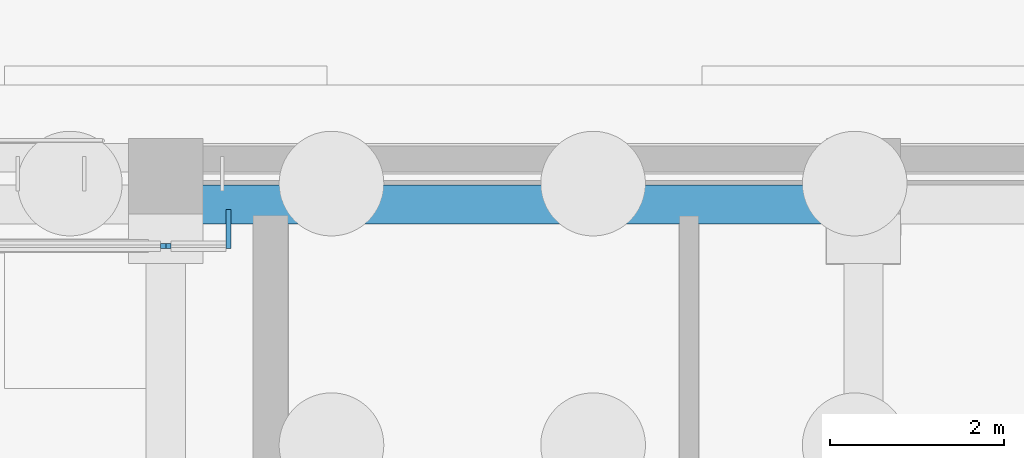
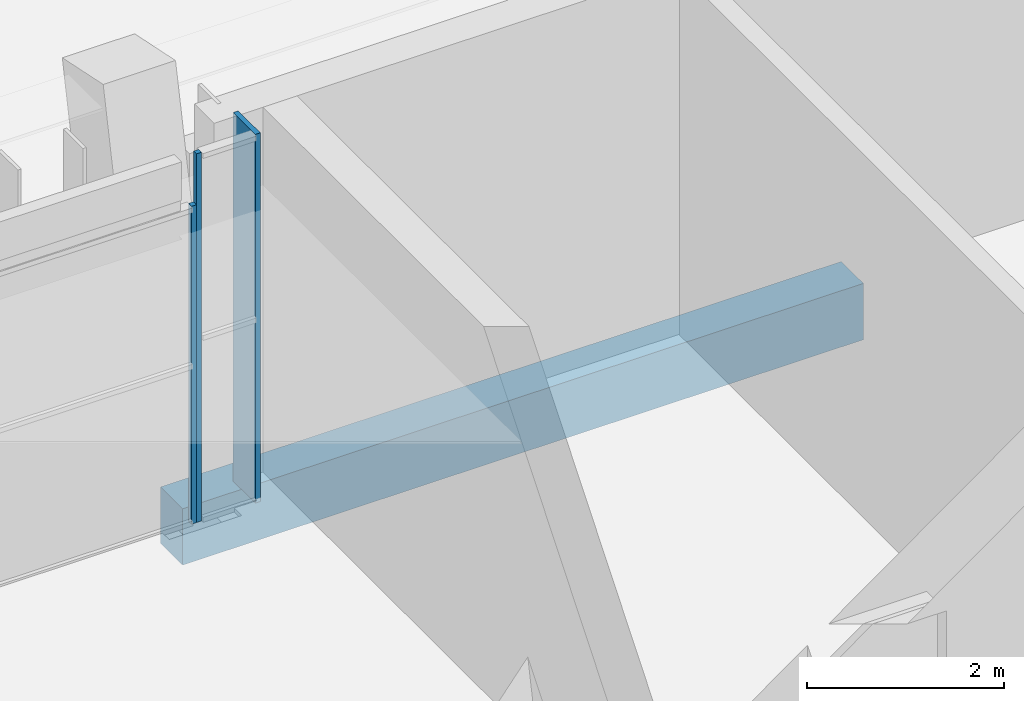
# One storey, part 67 of 144: 3 members, 1 beam, 2 elements without a shape of their own.
"""IFC4 building model written with IfcOpenShell, lengths in metres."""

from ifc_helpers import new_model, si_unit, direction, frame, origin, origin_2d, place, context, subcontext, project, spatial, rectangle, extrude, material, material_profile, profile_set, type_object, element, aggregate, save


model = new_model("IFC4")

# Units and contexts
model_context = context("Model", 3, precision=1e-05, world=origin(), true_north=direction((0.0, 1.0)))
body_context = subcontext(model_context, "Body", "Model", "MODEL_VIEW")
ifc_project = project(units=[si_unit("LENGTHUNIT", "METRE"), si_unit("AREAUNIT", "SQUARE_METRE"), si_unit("VOLUMEUNIT", "CUBIC_METRE"), si_unit("PLANEANGLEUNIT", "RADIAN"), si_unit("MASSUNIT", "GRAM", prefix="KILO")], contexts=[model_context])

# Site, building, storey
site_placement = place(None, origin())
site = spatial("IfcSite", under=ifc_project, at=site_placement, CompositionType="ELEMENT")
building_placement = place(site_placement, origin())
building = spatial("IfcBuilding", under=site, at=building_placement, Name="Lantern Court Media Centre", CompositionType="ELEMENT")
storey_placement = place(building_placement, origin())
storey = spatial("IfcBuildingStorey", under=building, at=storey_placement, Name="L00", CompositionType="ELEMENT", Elevation=0.0)

# Curtain wall, member
ifc_material_1 = material(Name="Curtain wall bay 3000")
curtain_wall_type = type_object("IfcCurtainWallType", Name="Curtain wall bay 3000", PredefinedType="NOTDEFINED", material=ifc_material_1)
curtain_wall_1_placement = place(storey_placement, origin())
curtain_wall_1 = element("IfcCurtainWall", 1, at=curtain_wall_1_placement, inside=storey, type_object=curtain_wall_type, Name="Curtain wall N outer L00", PredefinedType="NOTDEFINED")
ifc_material_2 = material(Name="Anodised aluminium", Category="aluminium")
ifc_material_profile_1 = material_profile(ifc_material_2, rectangle(XDim=0.449951171875, YDim=0.06005859375, at=origin_2d()), Name="AL 60x450")
ifc_profile_set_1 = profile_set([ifc_material_profile_1], Name="Anodised aluminium")
member_type_1 = type_object("IfcMemberType", Name="Curtain wall mullion 60x450", PredefinedType="MULLION", material=ifc_profile_set_1)
member_1_placement = place(storey_placement, frame((56.719970703125, 111.044921875, 0.0), z_axis=(0.0, 0.0, 1.0), x_axis=(0.0, 1.0, 0.0)))
member_1 = element("IfcMember", 2, at=member_1_placement, type_object=member_type_1, Name="CW1 mullion 2", PredefinedType="MULLION", context=body_context, shape_type="SweptSolid", body=[
    extrude(rectangle(XDim=0.449951171875, YDim=0.06005859375, at=origin_2d()), origin(), (0.0, 0.0, 1.0), 4.580078125),
])

curtain_wall_2_placement = place(storey_placement, origin())
curtain_wall_2 = element("IfcCurtainWall", 3, at=curtain_wall_2_placement, inside=storey, type_object=curtain_wall_type, Name="Curtain wall N outer L00", PredefinedType="NOTDEFINED")
ifc_material_profile_2 = material_profile(ifc_material_2, rectangle(XDim=0.06005859375, YDim=0.06005859375, at=origin_2d()), Name="AL 60x60")
ifc_profile_set_2 = profile_set([ifc_material_profile_2], Name="Anodised aluminium")
member_type_2 = type_object("IfcMemberType", Name="Curtain wall mullion 60x60", PredefinedType="MULLION", material=ifc_profile_set_2)
member_2_placement = place(storey_placement, frame((55.969970703125, 110.85009765625, 0.0), z_axis=(0.0, 0.0, 1.0), x_axis=(0.0, 1.0, 0.0)))
member_2 = element("IfcMember", 4, at=member_2_placement, type_object=member_type_2, Name="CW1 mullion 6", PredefinedType="MULLION", context=body_context, shape_type="SweptSolid", body=[
    extrude(rectangle(XDim=0.06005859375, YDim=0.06005859375, at=origin_2d()), origin(), (0.0, 0.0, 1.0), 3.949951171875),
])
aggregate(curtain_wall_2, [member_2])

# Member
member_3_placement = place(storey_placement, frame((56.030029296875, 110.85009765625, 0.0), z_axis=(0.0, 0.0, 1.0), x_axis=(0.0, 1.0, 0.0)))
member_3 = element("IfcMember", 5, at=member_3_placement, type_object=member_type_2, Name="CW1 mullion 1", PredefinedType="MULLION", context=body_context, shape_type="SweptSolid", body=[
    extrude(rectangle(XDim=0.06005859375, YDim=0.06005859375, at=origin_2d()), origin(), (0.0, 0.0, 1.0), 4.580078125),
])

aggregate(curtain_wall_1, [member_3, member_1])

# Beam
ifc_material_3 = material(Name="Concrete C35", Category="concrete")
ifc_material_profile_3 = material_profile(ifc_material_3, rectangle(XDim=0.449951171875, YDim=0.699951171875, at=origin_2d()), Name="RC 450x700")
ifc_profile_set_3 = profile_set([ifc_material_profile_3], Name="Concrete C35")
beam_type = type_object("IfcBeamType", Name="RC BEAM 450x700", PredefinedType="BEAM", material=ifc_profile_set_3)
beam_placement = place(storey_placement, frame((56.0, 111.3271484375, -0.35009765625), z_axis=(1.0, 0.0, 0.0), x_axis=(0.0, 1.0, 0.0)))
element("IfcBeam", 6, at=beam_placement, inside=storey, type_object=beam_type, Name="LB-N-L00-2-4", PredefinedType="BEAM", context=body_context, shape_type="SweptSolid", body=[
    extrude(rectangle(XDim=0.449951171875, YDim=0.699951171875, at=origin_2d()), origin(), (0.0, 0.0, 1.0), 8.0),
])

save(model, "model.ifc")
